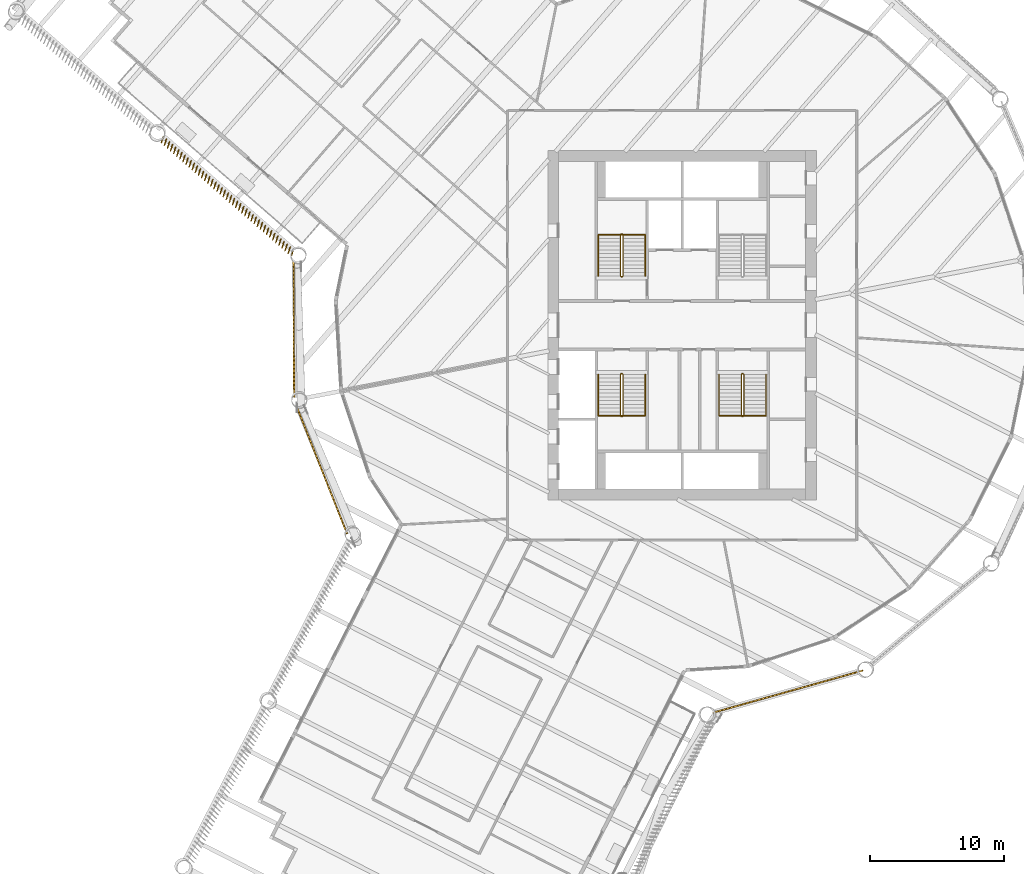
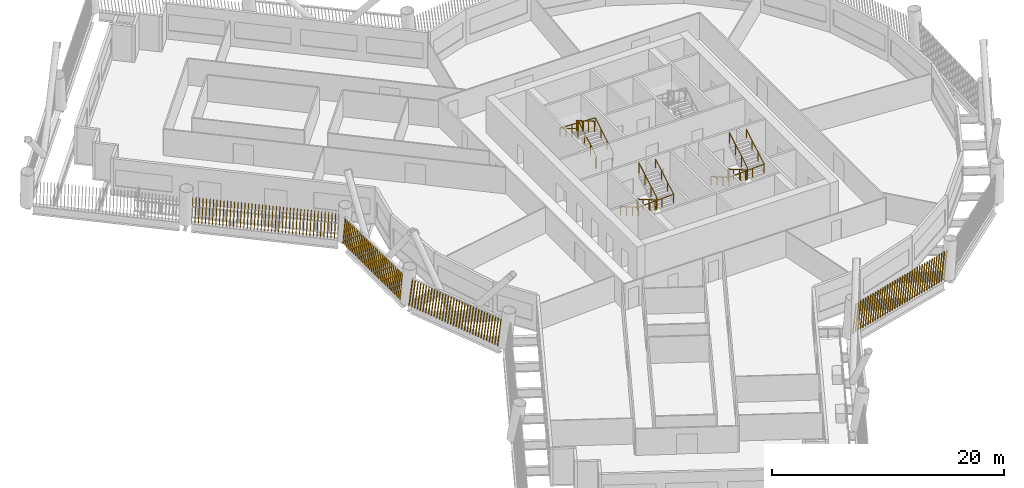
# One storey, part 17 of 21: 6 railings, 4 shading devices.
"""IFC4 building model written with IfcOpenShell, lengths in metres."""

from ifc_helpers import new_model, si_unit, direction, frame, frame_2d, origin, origin_2d, place, context, subcontext, project, spatial, rectangle, circle, composite_profile, extrude, material, type_object, element, save


model = new_model("IFC4")

# Units and contexts
model_context = context("Model", 3, precision=1e-05, world=origin(), true_north=direction((0.0, 1.0)))
body_context = subcontext(model_context, "Body", "Model", "MODEL_VIEW")
ifc_project = project(units=[si_unit("LENGTHUNIT", "METRE"), si_unit("AREAUNIT", "SQUARE_METRE"), si_unit("VOLUMEUNIT", "CUBIC_METRE"), si_unit("PLANEANGLEUNIT", "RADIAN"), si_unit("MASSUNIT", "GRAM", prefix="KILO")], contexts=[model_context])

# Site, building, storey
site_placement = place(None, origin())
site = spatial("IfcSite", under=ifc_project, at=site_placement, CompositionType="ELEMENT")
building_placement = place(site_placement, origin())
building = spatial("IfcBuilding", under=site, at=building_placement, Name="Tarsis Ring Headquarters", CompositionType="ELEMENT")
storey_placement = place(building_placement, frame((0.0, 0.0, 100.60009765625)))
storey = spatial("IfcBuildingStorey", under=building, at=storey_placement, Name="L22", CompositionType="ELEMENT", Elevation=100.60009765625)

# Railings
ifc_material_1 = material(Name="Steel S355", Category="steel")
railing_type_1 = type_object("IfcRailingType", Name="Core stair guard 1100", PredefinedType="GUARDRAIL", material=ifc_material_1)
railing_1_placement = place(storey_placement, frame((-4.5400390625, 3.610107421875, 0.0)))
element("IfcRailing", 1, at=railing_1_placement, inside=storey, type_object=railing_type_1, Name="L22 ST1 stair guard 1", PredefinedType="GUARDRAIL", context=body_context, shape_type="SweptSolid", body=[
    extrude(circle(Radius=0.02392578125, at=origin_2d()), frame((0.0, 0.0, 1.076171875), z_axis=(1.0, 0.0, 0.0), x_axis=(0.0, 1.0, 0.0)), (0.0, 0.0, 1.0), 0.080078125),
    extrude(circle(Radius=0.02392578125, at=origin_2d()), frame((0.080078125, 0.0, 1.076171875), z_axis=(0.282693820306, 0.281314826061, 0.917031173188), x_axis=(-0.705375805398, 0.708833529934, 0.0)), (0.0, 0.0, 1.0), 0.177001953125),
    extrude(circle(Radius=0.02392578125, at=origin_2d()), frame((0.130126953125, 0.0498046875, 1.23828125), z_axis=(0.0, 0.864890721111, 0.501960198159), x_axis=(-1.0, 0.0, 0.0)), (0.0, 0.0, 1.0), 3.561279296875),
    extrude(circle(Radius=0.02392578125, at=origin_2d()), frame((0.130126953125, 3.1298828125, 3.02587890625), z_axis=(-0.707106781187, 0.707106781187, 0.0), x_axis=(-0.707106781187, -0.707106781187, 0.0)), (0.0, 0.0, 1.0), 0.07080078125),
    extrude(circle(Radius=0.02392578125, at=origin_2d()), frame((0.080078125, 3.179931640625, 3.02587890625), z_axis=(-1.0, 0.0, 0.0), x_axis=(0.0, -1.0, 0.0)), (0.0, 0.0, 1.0), 0.080078125),
    extrude(circle(Radius=0.02392578125, at=origin_2d()), frame((0.0, 3.179931640625, 3.02587890625), z_axis=(-0.282583949758, -0.282583949758, 0.916674763849), x_axis=(0.707106781187, -0.707106781187, 0.0)), (0.0, 0.0, 1.0), 0.177001953125),
    extrude(circle(Radius=0.02392578125, at=origin_2d()), frame((-0.050048828125, 3.1298828125, 3.1884765625), z_axis=(0.0, -0.864890721111, 0.501960198159), x_axis=(1.0, 0.0, 0.0)), (0.0, 0.0, 1.0), 3.561279296875),
    extrude(circle(Radius=0.02099609375, at=origin_2d()), origin(), (0.0, 0.0, 1.0), 1.052001953125),
    extrude(circle(Radius=0.02099609375, at=origin_2d()), frame((0.080078125, 0.0, 0.0)), (0.0, 0.0, 1.0), 1.052001953125),
    extrude(circle(Radius=0.02099609375, at=origin_2d()), frame((0.130126953125, 0.0498046875, 0.162353515625)), (0.0, 0.0, 1.0), 1.052001953125),
    extrude(circle(Radius=0.02099609375, at=origin_2d()), frame((0.130126953125, 1.076416015625, 0.75830078125)), (0.0, 0.0, 1.0), 1.052001953125),
    extrude(circle(Radius=0.02099609375, at=origin_2d()), frame((0.130126953125, 2.103271484375, 1.35400390625)), (0.0, 0.0, 1.0), 1.052001953125),
    extrude(circle(Radius=0.02099609375, at=origin_2d()), frame((0.130126953125, 3.1298828125, 1.949951171875)), (0.0, 0.0, 1.0), 1.052001953125),
    extrude(circle(Radius=0.02099609375, at=origin_2d()), frame((0.080078125, 3.179931640625, 1.949951171875)), (0.0, 0.0, 1.0), 1.052001953125),
    extrude(circle(Radius=0.02099609375, at=origin_2d()), frame((0.0, 3.179931640625, 1.949951171875)), (0.0, 0.0, 1.0), 1.052001953125),
    extrude(circle(Radius=0.02099609375, at=origin_2d()), frame((-0.050048828125, 3.1298828125, 2.1123046875)), (0.0, 0.0, 1.0), 1.052001953125),
    extrude(circle(Radius=0.02099609375, at=origin_2d()), frame((-0.050048828125, 2.103271484375, 2.708251953125)), (0.0, 0.0, 1.0), 1.052001953125),
    extrude(circle(Radius=0.02099609375, at=origin_2d()), frame((-0.050048828125, 1.076416015625, 3.303955078125)), (0.0, 0.0, 1.0), 1.052001953125),
    extrude(circle(Radius=0.02099609375, at=origin_2d()), frame((-0.050048828125, 0.0498046875, 3.89990234375)), (0.0, 0.0, 1.0), 1.052001953125),
])
railing_2_placement = place(storey_placement, frame((-4.4599609375, -3.610107421875, 0.0)))
element("IfcRailing", 2, at=railing_2_placement, inside=storey, type_object=railing_type_1, Name="L22 ST3 stair guard 1", PredefinedType="GUARDRAIL", context=body_context, shape_type="SweptSolid", body=[
    extrude(circle(Radius=0.02392578125, at=origin_2d()), frame((0.0, 0.0, 1.076171875), z_axis=(-1.0, 0.0, 0.0), x_axis=(0.0, -1.0, 0.0)), (0.0, 0.0, 1.0), 0.080078125),
    extrude(circle(Radius=0.02392578125, at=origin_2d()), frame((-0.080078125, 0.0, 1.076171875), z_axis=(-0.282693820306, -0.281314826061, 0.917031173188), x_axis=(0.705375805398, -0.708833529934, 0.0)), (0.0, 0.0, 1.0), 0.177001953125),
    extrude(circle(Radius=0.02392578125, at=origin_2d()), frame((-0.130126953125, -0.0498046875, 1.23828125), z_axis=(0.0, -0.864890721111, 0.501960198159), x_axis=(1.0, 0.0, 0.0)), (0.0, 0.0, 1.0), 3.561279296875),
    extrude(circle(Radius=0.02392578125, at=origin_2d()), frame((-0.130126953125, -3.1298828125, 3.02587890625), z_axis=(0.707106781187, -0.707106781187, 0.0), x_axis=(0.707106781187, 0.707106781187, 0.0)), (0.0, 0.0, 1.0), 0.07080078125),
    extrude(circle(Radius=0.02392578125, at=origin_2d()), frame((-0.080078125, -3.179931640625, 3.02587890625), z_axis=(1.0, 0.0, 0.0), x_axis=(0.0, 1.0, 0.0)), (0.0, 0.0, 1.0), 0.080078125),
    extrude(circle(Radius=0.02392578125, at=origin_2d()), frame((0.0, -3.179931640625, 3.02587890625), z_axis=(0.282583949758, 0.282583949758, 0.916674763849), x_axis=(-0.707106781187, 0.707106781187, 0.0)), (0.0, 0.0, 1.0), 0.177001953125),
    extrude(circle(Radius=0.02392578125, at=origin_2d()), frame((0.050048828125, -3.1298828125, 3.1884765625), z_axis=(0.0, 0.864890721111, 0.501960198159), x_axis=(-1.0, 0.0, 0.0)), (0.0, 0.0, 1.0), 3.561279296875),
    extrude(circle(Radius=0.02099609375, at=origin_2d()), origin(), (0.0, 0.0, 1.0), 1.052001953125),
    extrude(circle(Radius=0.02099609375, at=origin_2d()), frame((-0.080078125, 0.0, 0.0)), (0.0, 0.0, 1.0), 1.052001953125),
    extrude(circle(Radius=0.02099609375, at=origin_2d()), frame((-0.130126953125, -0.0498046875, 0.162353515625)), (0.0, 0.0, 1.0), 1.052001953125),
    extrude(circle(Radius=0.02099609375, at=origin_2d()), frame((-0.130126953125, -1.076416015625, 0.75830078125)), (0.0, 0.0, 1.0), 1.052001953125),
    extrude(circle(Radius=0.02099609375, at=origin_2d()), frame((-0.130126953125, -2.103271484375, 1.35400390625)), (0.0, 0.0, 1.0), 1.052001953125),
    extrude(circle(Radius=0.02099609375, at=origin_2d()), frame((-0.130126953125, -3.1298828125, 1.949951171875)), (0.0, 0.0, 1.0), 1.052001953125),
    extrude(circle(Radius=0.02099609375, at=origin_2d()), frame((-0.080078125, -3.179931640625, 1.949951171875)), (0.0, 0.0, 1.0), 1.052001953125),
    extrude(circle(Radius=0.02099609375, at=origin_2d()), frame((0.0, -3.179931640625, 1.949951171875)), (0.0, 0.0, 1.0), 1.052001953125),
    extrude(circle(Radius=0.02099609375, at=origin_2d()), frame((0.050048828125, -3.1298828125, 2.1123046875)), (0.0, 0.0, 1.0), 1.052001953125),
    extrude(circle(Radius=0.02099609375, at=origin_2d()), frame((0.050048828125, -2.103271484375, 2.708251953125)), (0.0, 0.0, 1.0), 1.052001953125),
    extrude(circle(Radius=0.02099609375, at=origin_2d()), frame((0.050048828125, -1.076416015625, 3.303955078125)), (0.0, 0.0, 1.0), 1.052001953125),
    extrude(circle(Radius=0.02099609375, at=origin_2d()), frame((0.050048828125, -0.0498046875, 3.89990234375)), (0.0, 0.0, 1.0), 1.052001953125),
])
railing_3_placement = place(storey_placement, frame((4.5400390625, -3.610107421875, 0.0)))
element("IfcRailing", 3, at=railing_3_placement, inside=storey, type_object=railing_type_1, Name="L22 ST4 stair guard 1", PredefinedType="GUARDRAIL", context=body_context, shape_type="SweptSolid", body=[
    extrude(circle(Radius=0.02392578125, at=origin_2d()), frame((0.0, 0.0, 1.076171875), z_axis=(-1.0, 0.0, 0.0), x_axis=(0.0, -1.0, 0.0)), (0.0, 0.0, 1.0), 0.080078125),
    extrude(circle(Radius=0.02392578125, at=origin_2d()), frame((-0.080078125, 0.0, 1.076171875), z_axis=(-0.282693820306, -0.281314826061, 0.917031173188), x_axis=(0.705375805398, -0.708833529934, 0.0)), (0.0, 0.0, 1.0), 0.177001953125),
    extrude(circle(Radius=0.02392578125, at=origin_2d()), frame((-0.130126953125, -0.0498046875, 1.23828125), z_axis=(0.0, -0.864890721111, 0.501960198159), x_axis=(1.0, 0.0, 0.0)), (0.0, 0.0, 1.0), 3.561279296875),
    extrude(circle(Radius=0.02392578125, at=origin_2d()), frame((-0.130126953125, -3.1298828125, 3.02587890625), z_axis=(0.707106781187, -0.707106781187, 0.0), x_axis=(0.707106781187, 0.707106781187, 0.0)), (0.0, 0.0, 1.0), 0.07080078125),
    extrude(circle(Radius=0.02392578125, at=origin_2d()), frame((-0.080078125, -3.179931640625, 3.02587890625), z_axis=(1.0, 0.0, 0.0), x_axis=(0.0, 1.0, 0.0)), (0.0, 0.0, 1.0), 0.080078125),
    extrude(circle(Radius=0.02392578125, at=origin_2d()), frame((0.0, -3.179931640625, 3.02587890625), z_axis=(0.282583949758, 0.282583949758, 0.916674763849), x_axis=(-0.707106781187, 0.707106781187, 0.0)), (0.0, 0.0, 1.0), 0.177001953125),
    extrude(circle(Radius=0.02392578125, at=origin_2d()), frame((0.050048828125, -3.1298828125, 3.1884765625), z_axis=(0.0, 0.864890721111, 0.501960198159), x_axis=(-1.0, 0.0, 0.0)), (0.0, 0.0, 1.0), 3.561279296875),
    extrude(circle(Radius=0.02099609375, at=origin_2d()), origin(), (0.0, 0.0, 1.0), 1.052001953125),
    extrude(circle(Radius=0.02099609375, at=origin_2d()), frame((-0.080078125, 0.0, 0.0)), (0.0, 0.0, 1.0), 1.052001953125),
    extrude(circle(Radius=0.02099609375, at=origin_2d()), frame((-0.130126953125, -0.0498046875, 0.162353515625)), (0.0, 0.0, 1.0), 1.052001953125),
    extrude(circle(Radius=0.02099609375, at=origin_2d()), frame((-0.130126953125, -1.076416015625, 0.75830078125)), (0.0, 0.0, 1.0), 1.052001953125),
    extrude(circle(Radius=0.02099609375, at=origin_2d()), frame((-0.130126953125, -2.103271484375, 1.35400390625)), (0.0, 0.0, 1.0), 1.052001953125),
    extrude(circle(Radius=0.02099609375, at=origin_2d()), frame((-0.130126953125, -3.1298828125, 1.949951171875)), (0.0, 0.0, 1.0), 1.052001953125),
    extrude(circle(Radius=0.02099609375, at=origin_2d()), frame((-0.080078125, -3.179931640625, 1.949951171875)), (0.0, 0.0, 1.0), 1.052001953125),
    extrude(circle(Radius=0.02099609375, at=origin_2d()), frame((0.0, -3.179931640625, 1.949951171875)), (0.0, 0.0, 1.0), 1.052001953125),
    extrude(circle(Radius=0.02099609375, at=origin_2d()), frame((0.050048828125, -3.1298828125, 2.1123046875)), (0.0, 0.0, 1.0), 1.052001953125),
    extrude(circle(Radius=0.02099609375, at=origin_2d()), frame((0.050048828125, -2.103271484375, 2.708251953125)), (0.0, 0.0, 1.0), 1.052001953125),
    extrude(circle(Radius=0.02099609375, at=origin_2d()), frame((0.050048828125, -1.076416015625, 3.303955078125)), (0.0, 0.0, 1.0), 1.052001953125),
    extrude(circle(Radius=0.02099609375, at=origin_2d()), frame((0.050048828125, -0.0498046875, 3.89990234375)), (0.0, 0.0, 1.0), 1.052001953125),
])
railing_type_2 = type_object("IfcRailingType", Name="Core stair handrail 900", PredefinedType="HANDRAIL", material=ifc_material_1)
railing_4_placement = place(storey_placement, frame((-2.75, 3.659912109375, 0.162353515625)))
element("IfcRailing", 4, at=railing_4_placement, inside=storey, type_object=railing_type_2, Name="L22 ST1 stair handrail 1", PredefinedType="HANDRAIL", context=body_context, shape_type="SweptSolid", body=[
    extrude(circle(Radius=0.02392578125, at=origin_2d()), frame((0.0, 0.0, 0.8759765625), z_axis=(0.0, 0.864890721111, 0.501960198159), x_axis=(-1.0, 0.0, 0.0)), (0.0, 0.0, 1.0), 3.561279296875),
    extrude(circle(Radius=0.02392578125, at=origin_2d()), frame((0.0, 3.080078125, 2.66357421875), z_axis=(-0.998925869279, 0.0, 0.04633689335), x_axis=(0.0, -1.0, 0.0)), (0.0, 0.0, 1.0), 3.503662109375),
    extrude(circle(Radius=0.02392578125, at=origin_2d()), frame((-3.5, 3.080078125, 2.82568359375), z_axis=(0.0, -0.864890721111, 0.501960198159), x_axis=(1.0, 0.0, 0.0)), (0.0, 0.0, 1.0), 3.561279296875),
    extrude(circle(Radius=0.02099609375, at=origin_2d()), origin(), (0.0, 0.0, 1.0), 0.851806640625),
    extrude(circle(Radius=0.02099609375, at=origin_2d()), frame((0.0, 1.026611328125, 0.595947265625)), (0.0, 0.0, 1.0), 0.851806640625),
    extrude(circle(Radius=0.02099609375, at=origin_2d()), frame((0.0, 2.053466796875, 1.191650390625)), (0.0, 0.0, 1.0), 0.851806640625),
    extrude(circle(Radius=0.02099609375, at=origin_2d()), frame((0.0, 3.080078125, 1.78759765625)), (0.0, 0.0, 1.0), 0.851806640625),
    extrude(circle(Radius=0.02099609375, at=origin_2d()), frame((-1.166748046875, 3.080078125, 1.841796875)), (0.0, 0.0, 1.0), 0.851806640625),
    extrude(circle(Radius=0.02099609375, at=origin_2d()), frame((-2.333251953125, 3.080078125, 1.895751953125)), (0.0, 0.0, 1.0), 0.851806640625),
    extrude(circle(Radius=0.02099609375, at=origin_2d()), frame((-3.5, 3.080078125, 1.949951171875)), (0.0, 0.0, 1.0), 0.851806640625),
    extrude(circle(Radius=0.02099609375, at=origin_2d()), frame((-3.5, 2.053466796875, 2.5458984375)), (0.0, 0.0, 1.0), 0.851806640625),
    extrude(circle(Radius=0.02099609375, at=origin_2d()), frame((-3.5, 1.026611328125, 3.1416015625)), (0.0, 0.0, 1.0), 0.851806640625),
    extrude(circle(Radius=0.02099609375, at=origin_2d()), frame((-3.5, 0.0, 3.737548828125)), (0.0, 0.0, 1.0), 0.851806640625),
])
railing_5_placement = place(storey_placement, frame((-6.25, -3.659912109375, 0.162353515625)))
element("IfcRailing", 5, at=railing_5_placement, inside=storey, type_object=railing_type_2, Name="L22 ST3 stair handrail 1", PredefinedType="HANDRAIL", context=body_context, shape_type="SweptSolid", body=[
    extrude(circle(Radius=0.02392578125, at=origin_2d()), frame((0.0, 0.0, 0.8759765625), z_axis=(0.0, -0.864890721111, 0.501960198159), x_axis=(1.0, 0.0, 0.0)), (0.0, 0.0, 1.0), 3.561279296875),
    extrude(circle(Radius=0.02392578125, at=origin_2d()), frame((0.0, -3.080078125, 2.66357421875), z_axis=(0.998925869279, 0.0, 0.04633689335), x_axis=(0.0, 1.0, 0.0)), (0.0, 0.0, 1.0), 3.503662109375),
    extrude(circle(Radius=0.02392578125, at=origin_2d()), frame((3.5, -3.080078125, 2.82568359375), z_axis=(0.0, 0.864890721111, 0.501960198159), x_axis=(-1.0, 0.0, 0.0)), (0.0, 0.0, 1.0), 3.561279296875),
    extrude(circle(Radius=0.02099609375, at=origin_2d()), origin(), (0.0, 0.0, 1.0), 0.851806640625),
    extrude(circle(Radius=0.02099609375, at=origin_2d()), frame((0.0, -1.026611328125, 0.595947265625)), (0.0, 0.0, 1.0), 0.851806640625),
    extrude(circle(Radius=0.02099609375, at=origin_2d()), frame((0.0, -2.053466796875, 1.191650390625)), (0.0, 0.0, 1.0), 0.851806640625),
    extrude(circle(Radius=0.02099609375, at=origin_2d()), frame((0.0, -3.080078125, 1.78759765625)), (0.0, 0.0, 1.0), 0.851806640625),
    extrude(circle(Radius=0.02099609375, at=origin_2d()), frame((1.166748046875, -3.080078125, 1.841796875)), (0.0, 0.0, 1.0), 0.851806640625),
    extrude(circle(Radius=0.02099609375, at=origin_2d()), frame((2.333251953125, -3.080078125, 1.895751953125)), (0.0, 0.0, 1.0), 0.851806640625),
    extrude(circle(Radius=0.02099609375, at=origin_2d()), frame((3.5, -3.080078125, 1.949951171875)), (0.0, 0.0, 1.0), 0.851806640625),
    extrude(circle(Radius=0.02099609375, at=origin_2d()), frame((3.5, -2.053466796875, 2.5458984375)), (0.0, 0.0, 1.0), 0.851806640625),
    extrude(circle(Radius=0.02099609375, at=origin_2d()), frame((3.5, -1.026611328125, 3.1416015625)), (0.0, 0.0, 1.0), 0.851806640625),
    extrude(circle(Radius=0.02099609375, at=origin_2d()), frame((3.5, 0.0, 3.737548828125)), (0.0, 0.0, 1.0), 0.851806640625),
])
railing_6_placement = place(storey_placement, frame((2.75, -3.659912109375, 0.162353515625)))
element("IfcRailing", 6, at=railing_6_placement, inside=storey, type_object=railing_type_2, Name="L22 ST4 stair handrail 1", PredefinedType="HANDRAIL", context=body_context, shape_type="SweptSolid", body=[
    extrude(circle(Radius=0.02392578125, at=origin_2d()), frame((0.0, 0.0, 0.8759765625), z_axis=(0.0, -0.864890721111, 0.501960198159), x_axis=(1.0, 0.0, 0.0)), (0.0, 0.0, 1.0), 3.561279296875),
    extrude(circle(Radius=0.02392578125, at=origin_2d()), frame((0.0, -3.080078125, 2.66357421875), z_axis=(0.998925869279, 0.0, 0.04633689335), x_axis=(0.0, 1.0, 0.0)), (0.0, 0.0, 1.0), 3.503662109375),
    extrude(circle(Radius=0.02392578125, at=origin_2d()), frame((3.5, -3.080078125, 2.82568359375), z_axis=(0.0, 0.864890721111, 0.501960198159), x_axis=(-1.0, 0.0, 0.0)), (0.0, 0.0, 1.0), 3.561279296875),
    extrude(circle(Radius=0.02099609375, at=origin_2d()), origin(), (0.0, 0.0, 1.0), 0.851806640625),
    extrude(circle(Radius=0.02099609375, at=origin_2d()), frame((0.0, -1.026611328125, 0.595947265625)), (0.0, 0.0, 1.0), 0.851806640625),
    extrude(circle(Radius=0.02099609375, at=origin_2d()), frame((0.0, -2.053466796875, 1.191650390625)), (0.0, 0.0, 1.0), 0.851806640625),
    extrude(circle(Radius=0.02099609375, at=origin_2d()), frame((0.0, -3.080078125, 1.78759765625)), (0.0, 0.0, 1.0), 0.851806640625),
    extrude(circle(Radius=0.02099609375, at=origin_2d()), frame((1.166748046875, -3.080078125, 1.841796875)), (0.0, 0.0, 1.0), 0.851806640625),
    extrude(circle(Radius=0.02099609375, at=origin_2d()), frame((2.333251953125, -3.080078125, 1.895751953125)), (0.0, 0.0, 1.0), 0.851806640625),
    extrude(circle(Radius=0.02099609375, at=origin_2d()), frame((3.5, -3.080078125, 1.949951171875)), (0.0, 0.0, 1.0), 0.851806640625),
    extrude(circle(Radius=0.02099609375, at=origin_2d()), frame((3.5, -2.053466796875, 2.5458984375)), (0.0, 0.0, 1.0), 0.851806640625),
    extrude(circle(Radius=0.02099609375, at=origin_2d()), frame((3.5, -1.026611328125, 3.1416015625)), (0.0, 0.0, 1.0), 0.851806640625),
    extrude(circle(Radius=0.02099609375, at=origin_2d()), frame((3.5, 0.0, 3.737548828125)), (0.0, 0.0, 1.0), 0.851806640625),
])

# Shading devices
ifc_material_2 = material(Name="Terracotta baguette", Category="masonry")
shading_device_type = type_object("IfcShadingDeviceType", Name="Terracotta baguette screen", PredefinedType="USERDEFINED", material=ifc_material_2)
shading_device_1_placement = place(storey_placement, frame((-28.68701171875, -6.10595703125, 0.0), z_axis=(0.0, 0.0, 1.0), x_axis=(0.368194878201, -0.929743910056, 0.0)))
element("IfcShadingDevice", 7, at=shading_device_1_placement, inside=storey, type_object=shading_device_type, Name="Baguette screen L22-00", ObjectType="Terracotta baguette screen", PredefinedType="USERDEFINED", context=body_context, shape_type="SweptSolid", body=[
    extrude(composite_profile([rectangle(XDim=0.06005859375, YDim=0.1201171875, at=frame_2d((0.030029296875, 0.0))), rectangle(XDim=0.06005859375, YDim=0.1201171875, at=frame_2d((0.33349609375, 0.0))), rectangle(XDim=0.06005859375, YDim=0.1201171875, at=frame_2d((0.636962890625, 0.0))), rectangle(XDim=0.06005859375, YDim=0.1201171875, at=frame_2d((0.9404296875, 0.0))), rectangle(XDim=0.06005859375, YDim=0.1201171875, at=frame_2d((1.243896484375, 0.0))), rectangle(XDim=0.06005859375, YDim=0.1201171875, at=frame_2d((1.54736328125, 0.0))), rectangle(XDim=0.06005859375, YDim=0.1201171875, at=frame_2d((1.85107421875, 0.0))), rectangle(XDim=0.06005859375, YDim=0.1201171875, at=frame_2d((2.154541015625, 0.0))), rectangle(XDim=0.06005859375, YDim=0.1201171875, at=frame_2d((2.4580078125, 0.0))), rectangle(XDim=0.06005859375, YDim=0.1201171875, at=frame_2d((2.761474609375, 0.0))), rectangle(XDim=0.06005859375, YDim=0.1201171875, at=frame_2d((3.06494140625, 0.0))), rectangle(XDim=0.06005859375, YDim=0.1201171875, at=frame_2d((3.368408203125, 0.0))), rectangle(XDim=0.06005859375, YDim=0.1201171875, at=frame_2d((3.671875, 0.0))), rectangle(XDim=0.06005859375, YDim=0.1201171875, at=frame_2d((3.975341796875, 0.0))), rectangle(XDim=0.06005859375, YDim=0.1201171875, at=frame_2d((4.27880859375, 0.0))), rectangle(XDim=0.06005859375, YDim=0.1201171875, at=frame_2d((4.582275390625, 0.0))), rectangle(XDim=0.06005859375, YDim=0.1201171875, at=frame_2d((4.8857421875, 0.0))), rectangle(XDim=0.06005859375, YDim=0.1201171875, at=frame_2d((5.189453125, 0.0))), rectangle(XDim=0.06005859375, YDim=0.1201171875, at=frame_2d((5.492919921875, 0.0))), rectangle(XDim=0.06005859375, YDim=0.1201171875, at=frame_2d((5.79638671875, 0.0))), rectangle(XDim=0.06005859375, YDim=0.1201171875, at=frame_2d((6.099853515625, 0.0))), rectangle(XDim=0.06005859375, YDim=0.1201171875, at=frame_2d((6.4033203125, 0.0))), rectangle(XDim=0.06005859375, YDim=0.1201171875, at=frame_2d((6.706787109375, 0.0))), rectangle(XDim=0.06005859375, YDim=0.1201171875, at=frame_2d((7.01025390625, 0.0))), rectangle(XDim=0.06005859375, YDim=0.1201171875, at=frame_2d((7.313720703125, 0.0))), rectangle(XDim=0.06005859375, YDim=0.1201171875, at=frame_2d((7.6171875, 0.0))), rectangle(XDim=0.06005859375, YDim=0.1201171875, at=frame_2d((7.920654296875, 0.0))), rectangle(XDim=0.06005859375, YDim=0.1201171875, at=frame_2d((8.224365234375, 0.0))), rectangle(XDim=0.06005859375, YDim=0.1201171875, at=frame_2d((8.52783203125, 0.0))), rectangle(XDim=0.06005859375, YDim=0.1201171875, at=frame_2d((8.831298828125, 0.0))), rectangle(XDim=0.06005859375, YDim=0.1201171875, at=frame_2d((9.134765625, 0.0))), rectangle(XDim=0.06005859375, YDim=0.1201171875, at=frame_2d((9.438232421875, 0.0))), rectangle(XDim=0.06005859375, YDim=0.1201171875, at=frame_2d((9.74169921875, 0.0)))]), origin(), (0.132175659517, 0.000900794488, 0.991225899379), 2.978515625),
])
shading_device_2_placement = place(storey_placement, frame((2.280029296875, -28.857177734375, 0.0), z_axis=(0.0, 0.0, 1.0), x_axis=(0.962582745524, 0.270949538795, 0.0)))
element("IfcShadingDevice", 8, at=shading_device_2_placement, inside=storey, type_object=shading_device_type, Name="Baguette screen L22-07", ObjectType="Terracotta baguette screen", PredefinedType="USERDEFINED", context=body_context, shape_type="SweptSolid", body=[
    extrude(composite_profile([rectangle(XDim=0.06005859375, YDim=0.1201171875, at=frame_2d((0.030029296875, 0.0))), rectangle(XDim=0.06005859375, YDim=0.1201171875, at=frame_2d((0.33251953125, 0.0))), rectangle(XDim=0.06005859375, YDim=0.1201171875, at=frame_2d((0.634765625, 0.0))), rectangle(XDim=0.06005859375, YDim=0.1201171875, at=frame_2d((0.937255859375, 0.0))), rectangle(XDim=0.06005859375, YDim=0.1201171875, at=frame_2d((1.239501953125, 0.0))), rectangle(XDim=0.06005859375, YDim=0.1201171875, at=frame_2d((1.5419921875, 0.0))), rectangle(XDim=0.06005859375, YDim=0.1201171875, at=frame_2d((1.844482421875, 0.0))), rectangle(XDim=0.06005859375, YDim=0.1201171875, at=frame_2d((2.146728515625, 0.0))), rectangle(XDim=0.06005859375, YDim=0.1201171875, at=frame_2d((2.44921875, 0.0))), rectangle(XDim=0.06005859375, YDim=0.1201171875, at=frame_2d((2.751708984375, 0.0))), rectangle(XDim=0.06005859375, YDim=0.1201171875, at=frame_2d((3.053955078125, 0.0))), rectangle(XDim=0.06005859375, YDim=0.1201171875, at=frame_2d((3.3564453125, 0.0))), rectangle(XDim=0.06005859375, YDim=0.1201171875, at=frame_2d((3.65869140625, 0.0))), rectangle(XDim=0.06005859375, YDim=0.1201171875, at=frame_2d((3.961181640625, 0.0))), rectangle(XDim=0.06005859375, YDim=0.1201171875, at=frame_2d((4.263671875, 0.0))), rectangle(XDim=0.06005859375, YDim=0.1201171875, at=frame_2d((4.56591796875, 0.0))), rectangle(XDim=0.06005859375, YDim=0.1201171875, at=frame_2d((4.868408203125, 0.0))), rectangle(XDim=0.06005859375, YDim=0.1201171875, at=frame_2d((5.1708984375, 0.0))), rectangle(XDim=0.06005859375, YDim=0.1201171875, at=frame_2d((5.47314453125, 0.0))), rectangle(XDim=0.06005859375, YDim=0.1201171875, at=frame_2d((5.775634765625, 0.0))), rectangle(XDim=0.06005859375, YDim=0.1201171875, at=frame_2d((6.077880859375, 0.0))), rectangle(XDim=0.06005859375, YDim=0.1201171875, at=frame_2d((6.38037109375, 0.0))), rectangle(XDim=0.06005859375, YDim=0.1201171875, at=frame_2d((6.682861328125, 0.0))), rectangle(XDim=0.06005859375, YDim=0.1201171875, at=frame_2d((6.985107421875, 0.0))), rectangle(XDim=0.06005859375, YDim=0.1201171875, at=frame_2d((7.28759765625, 0.0))), rectangle(XDim=0.06005859375, YDim=0.1201171875, at=frame_2d((7.590087890625, 0.0))), rectangle(XDim=0.06005859375, YDim=0.1201171875, at=frame_2d((7.892333984375, 0.0))), rectangle(XDim=0.06005859375, YDim=0.1201171875, at=frame_2d((8.19482421875, 0.0))), rectangle(XDim=0.06005859375, YDim=0.1201171875, at=frame_2d((8.4970703125, 0.0))), rectangle(XDim=0.06005859375, YDim=0.1201171875, at=frame_2d((8.799560546875, 0.0))), rectangle(XDim=0.06005859375, YDim=0.1201171875, at=frame_2d((9.10205078125, 0.0))), rectangle(XDim=0.06005859375, YDim=0.1201171875, at=frame_2d((9.404296875, 0.0))), rectangle(XDim=0.06005859375, YDim=0.1201171875, at=frame_2d((9.706787109375, 0.0))), rectangle(XDim=0.06005859375, YDim=0.1201171875, at=frame_2d((10.00927734375, 0.0))), rectangle(XDim=0.06005859375, YDim=0.1201171875, at=frame_2d((10.3115234375, 0.0))), rectangle(XDim=0.06005859375, YDim=0.1201171875, at=frame_2d((10.614013671875, 0.0))), rectangle(XDim=0.06005859375, YDim=0.1201171875, at=frame_2d((10.916259765625, 0.0))), rectangle(XDim=0.06005859375, YDim=0.1201171875, at=frame_2d((11.21875, 0.0)))]), origin(), (0.129819142283, 0.000884341558, 0.991537295434), 2.9775390625),
])
shading_device_3_placement = place(storey_placement, frame((-38.669189453125, 14.075439453125, 0.0), z_axis=(0.0, 0.0, 1.0), x_axis=(0.753784438389, -0.657110959734, 0.0)))
element("IfcShadingDevice", 9, at=shading_device_3_placement, inside=storey, type_object=shading_device_type, Name="Baguette screen L22-20", ObjectType="Terracotta baguette screen", PredefinedType="USERDEFINED", context=body_context, shape_type="SweptSolid", body=[
    extrude(composite_profile([rectangle(XDim=0.06005859375, YDim=0.1201171875, at=frame_2d((0.030029296875, 0.0))), rectangle(XDim=0.06005859375, YDim=0.1201171875, at=frame_2d((0.335693359375, 0.0))), rectangle(XDim=0.06005859375, YDim=0.1201171875, at=frame_2d((0.6416015625, 0.0))), rectangle(XDim=0.06005859375, YDim=0.1201171875, at=frame_2d((0.947265625, 0.0))), rectangle(XDim=0.06005859375, YDim=0.1201171875, at=frame_2d((1.253173828125, 0.0))), rectangle(XDim=0.06005859375, YDim=0.1201171875, at=frame_2d((1.558837890625, 0.0))), rectangle(XDim=0.06005859375, YDim=0.1201171875, at=frame_2d((1.864501953125, 0.0))), rectangle(XDim=0.06005859375, YDim=0.1201171875, at=frame_2d((2.17041015625, 0.0))), rectangle(XDim=0.06005859375, YDim=0.1201171875, at=frame_2d((2.47607421875, 0.0))), rectangle(XDim=0.06005859375, YDim=0.1201171875, at=frame_2d((2.781982421875, 0.0))), rectangle(XDim=0.06005859375, YDim=0.1201171875, at=frame_2d((3.087646484375, 0.0))), rectangle(XDim=0.06005859375, YDim=0.1201171875, at=frame_2d((3.393310546875, 0.0))), rectangle(XDim=0.06005859375, YDim=0.1201171875, at=frame_2d((3.69921875, 0.0))), rectangle(XDim=0.06005859375, YDim=0.1201171875, at=frame_2d((4.0048828125, 0.0))), rectangle(XDim=0.06005859375, YDim=0.1201171875, at=frame_2d((4.310791015625, 0.0))), rectangle(XDim=0.06005859375, YDim=0.1201171875, at=frame_2d((4.616455078125, 0.0))), rectangle(XDim=0.06005859375, YDim=0.1201171875, at=frame_2d((4.922119140625, 0.0))), rectangle(XDim=0.06005859375, YDim=0.1201171875, at=frame_2d((5.22802734375, 0.0))), rectangle(XDim=0.06005859375, YDim=0.1201171875, at=frame_2d((5.53369140625, 0.0))), rectangle(XDim=0.06005859375, YDim=0.1201171875, at=frame_2d((5.839599609375, 0.0))), rectangle(XDim=0.06005859375, YDim=0.1201171875, at=frame_2d((6.145263671875, 0.0))), rectangle(XDim=0.06005859375, YDim=0.1201171875, at=frame_2d((6.451171875, 0.0))), rectangle(XDim=0.06005859375, YDim=0.1201171875, at=frame_2d((6.7568359375, 0.0))), rectangle(XDim=0.06005859375, YDim=0.1201171875, at=frame_2d((7.0625, 0.0))), rectangle(XDim=0.06005859375, YDim=0.1201171875, at=frame_2d((7.368408203125, 0.0))), rectangle(XDim=0.06005859375, YDim=0.1201171875, at=frame_2d((7.674072265625, 0.0))), rectangle(XDim=0.06005859375, YDim=0.1201171875, at=frame_2d((7.97998046875, 0.0))), rectangle(XDim=0.06005859375, YDim=0.1201171875, at=frame_2d((8.28564453125, 0.0))), rectangle(XDim=0.06005859375, YDim=0.1201171875, at=frame_2d((8.59130859375, 0.0))), rectangle(XDim=0.06005859375, YDim=0.1201171875, at=frame_2d((8.897216796875, 0.0))), rectangle(XDim=0.06005859375, YDim=0.1201171875, at=frame_2d((9.202880859375, 0.0))), rectangle(XDim=0.06005859375, YDim=0.1201171875, at=frame_2d((9.5087890625, 0.0))), rectangle(XDim=0.06005859375, YDim=0.1201171875, at=frame_2d((9.814453125, 0.0))), rectangle(XDim=0.06005859375, YDim=0.1201171875, at=frame_2d((10.1201171875, 0.0))), rectangle(XDim=0.06005859375, YDim=0.1201171875, at=frame_2d((10.426025390625, 0.0))), rectangle(XDim=0.06005859375, YDim=0.1201171875, at=frame_2d((10.731689453125, 0.0))), rectangle(XDim=0.06005859375, YDim=0.1201171875, at=frame_2d((11.03759765625, 0.0))), rectangle(XDim=0.06005859375, YDim=0.1201171875, at=frame_2d((11.34326171875, 0.0))), rectangle(XDim=0.06005859375, YDim=0.1201171875, at=frame_2d((11.64892578125, 0.0))), rectangle(XDim=0.06005859375, YDim=0.1201171875, at=frame_2d((11.954833984375, 0.0))), rectangle(XDim=0.06005859375, YDim=0.1201171875, at=frame_2d((12.260498046875, 0.0))), rectangle(XDim=0.06005859375, YDim=0.1201171875, at=frame_2d((12.56640625, 0.0))), rectangle(XDim=0.06005859375, YDim=0.1201171875, at=frame_2d((12.8720703125, 0.0)))]), origin(), (0.068349031971, -0.144938960747, 0.987077052457), 2.990966796875),
])
shading_device_4_placement = place(storey_placement, frame((-28.939697265625, 4.76708984375, 0.0), z_axis=(0.0, 0.0, 1.0), x_axis=(0.004097541475, -1.0, 0.0)))
element("IfcShadingDevice", 10, at=shading_device_4_placement, inside=storey, type_object=shading_device_type, Name="Baguette screen L22-21", ObjectType="Terracotta baguette screen", PredefinedType="USERDEFINED", context=body_context, shape_type="SweptSolid", body=[
    extrude(composite_profile([rectangle(XDim=0.06005859375, YDim=0.1201171875, at=frame_2d((0.030029296875, 0.0))), rectangle(XDim=0.06005859375, YDim=0.1201171875, at=frame_2d((0.33349609375, 0.0))), rectangle(XDim=0.06005859375, YDim=0.1201171875, at=frame_2d((0.636962890625, 0.0))), rectangle(XDim=0.06005859375, YDim=0.1201171875, at=frame_2d((0.9404296875, 0.0))), rectangle(XDim=0.06005859375, YDim=0.1201171875, at=frame_2d((1.243896484375, 0.0))), rectangle(XDim=0.06005859375, YDim=0.1201171875, at=frame_2d((1.54736328125, 0.0))), rectangle(XDim=0.06005859375, YDim=0.1201171875, at=frame_2d((1.850830078125, 0.0))), rectangle(XDim=0.06005859375, YDim=0.1201171875, at=frame_2d((2.154296875, 0.0))), rectangle(XDim=0.06005859375, YDim=0.1201171875, at=frame_2d((2.4580078125, 0.0))), rectangle(XDim=0.06005859375, YDim=0.1201171875, at=frame_2d((2.761474609375, 0.0))), rectangle(XDim=0.06005859375, YDim=0.1201171875, at=frame_2d((3.06494140625, 0.0))), rectangle(XDim=0.06005859375, YDim=0.1201171875, at=frame_2d((3.368408203125, 0.0))), rectangle(XDim=0.06005859375, YDim=0.1201171875, at=frame_2d((3.671875, 0.0))), rectangle(XDim=0.06005859375, YDim=0.1201171875, at=frame_2d((3.975341796875, 0.0))), rectangle(XDim=0.06005859375, YDim=0.1201171875, at=frame_2d((4.27880859375, 0.0))), rectangle(XDim=0.06005859375, YDim=0.1201171875, at=frame_2d((4.582275390625, 0.0))), rectangle(XDim=0.06005859375, YDim=0.1201171875, at=frame_2d((4.8857421875, 0.0))), rectangle(XDim=0.06005859375, YDim=0.1201171875, at=frame_2d((5.189208984375, 0.0))), rectangle(XDim=0.06005859375, YDim=0.1201171875, at=frame_2d((5.49267578125, 0.0))), rectangle(XDim=0.06005859375, YDim=0.1201171875, at=frame_2d((5.796142578125, 0.0))), rectangle(XDim=0.06005859375, YDim=0.1201171875, at=frame_2d((6.099609375, 0.0))), rectangle(XDim=0.06005859375, YDim=0.1201171875, at=frame_2d((6.403076171875, 0.0))), rectangle(XDim=0.06005859375, YDim=0.1201171875, at=frame_2d((6.70654296875, 0.0))), rectangle(XDim=0.06005859375, YDim=0.1201171875, at=frame_2d((7.010009765625, 0.0))), rectangle(XDim=0.06005859375, YDim=0.1201171875, at=frame_2d((7.3134765625, 0.0))), rectangle(XDim=0.06005859375, YDim=0.1201171875, at=frame_2d((7.6171875, 0.0))), rectangle(XDim=0.06005859375, YDim=0.1201171875, at=frame_2d((7.920654296875, 0.0))), rectangle(XDim=0.06005859375, YDim=0.1201171875, at=frame_2d((8.22412109375, 0.0))), rectangle(XDim=0.06005859375, YDim=0.1201171875, at=frame_2d((8.527587890625, 0.0))), rectangle(XDim=0.06005859375, YDim=0.1201171875, at=frame_2d((8.8310546875, 0.0))), rectangle(XDim=0.06005859375, YDim=0.1201171875, at=frame_2d((9.134521484375, 0.0))), rectangle(XDim=0.06005859375, YDim=0.1201171875, at=frame_2d((9.43798828125, 0.0))), rectangle(XDim=0.06005859375, YDim=0.1201171875, at=frame_2d((9.741455078125, 0.0)))]), origin(), (0.132177274125, 0.000900074486, 0.991225684731), 2.978515625),
])

save(model, "model.ifc")
